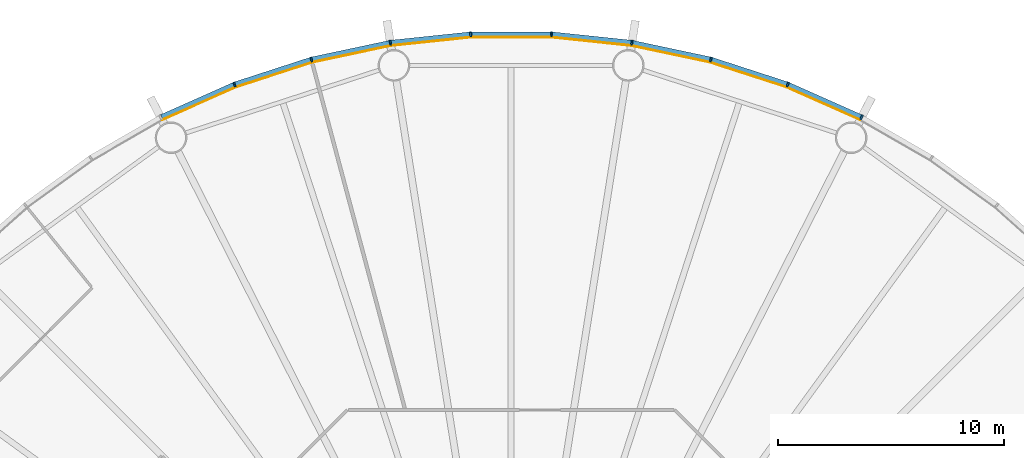
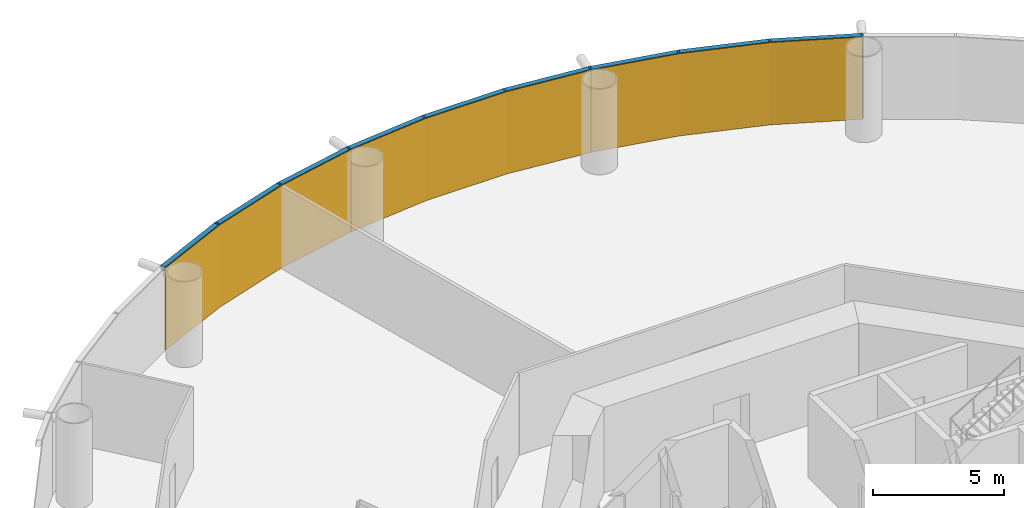
# One storey, part 11 of 12: 18 members, 3 curtain walls.
"""IFC4 building model written with IfcOpenShell, lengths in metres."""

from ifc_helpers import new_model, si_unit, direction, frame, origin, origin_2d, place, context, subcontext, project, spatial, polyline, rectangle, outline, extrude, material, layer, layer_set, material_profile, profile_set, type_object, element, aggregate, save


model = new_model("IFC4")

# Units and contexts
model_context = context("Model", 3, precision=1e-05, world=origin(), true_north=direction((0.0, 1.0)))
body_context = subcontext(model_context, "Body", "Model", "MODEL_VIEW")
ifc_project = project(units=[si_unit("LENGTHUNIT", "METRE"), si_unit("AREAUNIT", "SQUARE_METRE"), si_unit("VOLUMEUNIT", "CUBIC_METRE"), si_unit("PLANEANGLEUNIT", "RADIAN"), si_unit("MASSUNIT", "GRAM", prefix="KILO")], contexts=[model_context])

# Member
ifc_material_1 = material(Name="Anodised aluminium", Category="aluminium")
ifc_material_profile_1 = material_profile(ifc_material_1, rectangle(XDim=0.074951171875, YDim=0.219970703125, at=origin_2d()), Name="Mullion 75 x 220 mm anodised aluminium")
ifc_profile_set_1 = profile_set([ifc_material_profile_1], Name="Anodised aluminium")
member_type_1 = type_object("IfcMemberType", Name="Mullion 75 x 220 mm anodised aluminium", PredefinedType="MULLION", material=ifc_profile_set_1)
site_placement = place(None, origin())
building_placement = place(site_placement, origin())
storey_placement = place(building_placement, frame((0.0, 0.0, 70.0)))
member_1_placement = place(storey_placement, frame((105.485595703125, 110.392333984375, 0.0), z_axis=(0.0, 0.0, 1.0), x_axis=(-0.891006524188, 0.45399049974, 0.0)))
member_1 = element("IfcMember", 1, at=member_1_placement, type_object=member_type_1, Name="MULLION L15-09", PredefinedType="MULLION", context=body_context, shape_type="SweptSolid", body=[
    extrude(rectangle(XDim=0.074951171875, YDim=0.219970703125, at=origin_2d()), origin(), (0.0, 0.0, 1.0), 3.85009765625),
])

member_2_placement = place(storey_placement, frame((102.223876953125, 111.844482421875, 0.0), z_axis=(0.0, 0.0, 1.0), x_axis=(-0.933580426497, 0.358367949545, 0.0)))
member_2 = element("IfcMember", 2, at=member_2_placement, type_object=member_type_1, Name="MULLION L15-10", PredefinedType="MULLION", context=body_context, shape_type="SweptSolid", body=[
    extrude(rectangle(XDim=0.074951171875, YDim=0.219970703125, at=origin_2d()), origin(), (0.0, 0.0, 1.0), 3.85009765625),
])

member_3_placement = place(storey_placement, frame((98.828369140625, 112.94775390625, 0.0), z_axis=(0.0, 0.0, 1.0), x_axis=(-0.965925826289, 0.258819045103, 0.0)))
member_3 = element("IfcMember", 3, at=member_3_placement, type_object=member_type_1, Name="MULLION L15-11", PredefinedType="MULLION", context=body_context, shape_type="SweptSolid", body=[
    extrude(rectangle(XDim=0.074951171875, YDim=0.219970703125, at=origin_2d()), origin(), (0.0, 0.0, 1.0), 3.85009765625),
])

member_4_placement = place(storey_placement, frame((95.3359375, 113.68994140625, 0.0), z_axis=(0.0, 0.0, 1.0), x_axis=(-0.987688340595, 0.15643446504, 0.0)))
member_4 = element("IfcMember", 4, at=member_4_placement, type_object=member_type_1, Name="MULLION L15-12", PredefinedType="MULLION", context=body_context, shape_type="SweptSolid", body=[
    extrude(rectangle(XDim=0.074951171875, YDim=0.219970703125, at=origin_2d()), origin(), (0.0, 0.0, 1.0), 3.85009765625),
])

member_5_placement = place(storey_placement, frame((91.78515625, 114.063232421875, 0.0), z_axis=(0.0, 0.0, 1.0), x_axis=(-0.998629534755, 0.052335956243, 0.0)))
member_5 = element("IfcMember", 5, at=member_5_placement, type_object=member_type_1, Name="MULLION L15-13", PredefinedType="MULLION", context=body_context, shape_type="SweptSolid", body=[
    extrude(rectangle(XDim=0.074951171875, YDim=0.219970703125, at=origin_2d()), origin(), (0.0, 0.0, 1.0), 3.85009765625),
])

member_6_placement = place(storey_placement, frame((88.21484375, 114.063232421875, 0.0), z_axis=(0.0, 0.0, 1.0), x_axis=(-0.998629534755, -0.052335956243, 0.0)))
member_6 = element("IfcMember", 6, at=member_6_placement, type_object=member_type_1, Name="MULLION L15-14", PredefinedType="MULLION", context=body_context, shape_type="SweptSolid", body=[
    extrude(rectangle(XDim=0.074951171875, YDim=0.219970703125, at=origin_2d()), origin(), (0.0, 0.0, 1.0), 3.85009765625),
])

member_7_placement = place(storey_placement, frame((84.6640625, 113.68994140625, 0.0), z_axis=(0.0, 0.0, 1.0), x_axis=(-0.987688340595, -0.15643446504, 0.0)))
member_7 = element("IfcMember", 7, at=member_7_placement, type_object=member_type_1, Name="MULLION L15-15", PredefinedType="MULLION", context=body_context, shape_type="SweptSolid", body=[
    extrude(rectangle(XDim=0.074951171875, YDim=0.219970703125, at=origin_2d()), origin(), (0.0, 0.0, 1.0), 3.85009765625),
])

member_8_placement = place(storey_placement, frame((81.171630859375, 112.94775390625, 0.0), z_axis=(0.0, 0.0, 1.0), x_axis=(-0.965925826289, -0.258819045103, 0.0)))
member_8 = element("IfcMember", 8, at=member_8_placement, type_object=member_type_1, Name="MULLION L15-16", PredefinedType="MULLION", context=body_context, shape_type="SweptSolid", body=[
    extrude(rectangle(XDim=0.074951171875, YDim=0.219970703125, at=origin_2d()), origin(), (0.0, 0.0, 1.0), 3.85009765625),
])

member_9_placement = place(storey_placement, frame((77.776123046875, 111.844482421875, 0.0), z_axis=(0.0, 0.0, 1.0), x_axis=(-0.933580426497, -0.358367949545, 0.0)))
member_9 = element("IfcMember", 9, at=member_9_placement, type_object=member_type_1, Name="MULLION L15-17", PredefinedType="MULLION", context=body_context, shape_type="SweptSolid", body=[
    extrude(rectangle(XDim=0.074951171875, YDim=0.219970703125, at=origin_2d()), origin(), (0.0, 0.0, 1.0), 3.85009765625),
])

ifc_material_2 = material(Name="Anodised aluminium", Category="aluminium")
ifc_material_profile_2 = material_profile(ifc_material_2, rectangle(XDim=0.219970703125, YDim=0.199951171875, at=origin_2d()), Name="Transom 200 x 220 mm anodised aluminium")
ifc_profile_set_2 = profile_set([ifc_material_profile_2], Name="Anodised aluminium")
member_type_2 = type_object("IfcMemberType", Name="Transom 200 x 220 mm anodised aluminium", PredefinedType="USERDEFINED", material=ifc_profile_set_2)
member_10_placement = place(storey_placement, frame((105.446044921875, 110.409912109375, 3.75), z_axis=(-0.913545487371, 0.406736576304, 0.0), x_axis=(-0.406736576304, -0.913545487371, 0.0)))
member_10 = element("IfcMember", 10, at=member_10_placement, type_object=member_type_2, Name="TRANSOM L15-09", ObjectType="TRANSOM", PredefinedType="USERDEFINED", context=body_context, shape_type="SweptSolid", body=[
    extrude(rectangle(XDim=0.219970703125, YDim=0.199951171875, at=origin_2d()), origin(), (0.0, 0.0, 1.0), 3.48388671875),
])

member_11_placement = place(storey_placement, frame((102.182861328125, 111.85791015625, 3.75), z_axis=(-0.951052605696, 0.309029029702, 0.0), x_axis=(-0.309029029702, -0.951052605696, 0.0)))
member_11 = element("IfcMember", 11, at=member_11_placement, type_object=member_type_2, Name="TRANSOM L15-10", ObjectType="TRANSOM", PredefinedType="USERDEFINED", context=body_context, shape_type="SweptSolid", body=[
    extrude(rectangle(XDim=0.219970703125, YDim=0.199951171875, at=origin_2d()), origin(), (0.0, 0.0, 1.0), 3.484130859375),
])

member_12_placement = place(storey_placement, frame((98.7861328125, 112.956787109375, 3.75), z_axis=(-0.978145669426, 0.207920776701, 0.0), x_axis=(-0.207920776701, -0.978145669426, 0.0)))
member_12 = element("IfcMember", 12, at=member_12_placement, type_object=member_type_2, Name="TRANSOM L15-11", ObjectType="TRANSOM", PredefinedType="USERDEFINED", context=body_context, shape_type="SweptSolid", body=[
    extrude(rectangle(XDim=0.219970703125, YDim=0.199951171875, at=origin_2d()), origin(), (0.0, 0.0, 1.0), 3.48388671875),
])

member_13_placement = place(storey_placement, frame((95.29296875, 113.69482421875, 3.75), z_axis=(-0.994526551648, 0.104484152234, 0.0), x_axis=(-0.104484152234, -0.994526551648, 0.0)))
member_13 = element("IfcMember", 13, at=member_13_placement, type_object=member_type_2, Name="TRANSOM L15-12", ObjectType="TRANSOM", PredefinedType="USERDEFINED", context=body_context, shape_type="SweptSolid", body=[
    extrude(rectangle(XDim=0.219970703125, YDim=0.199951171875, at=origin_2d()), origin(), (0.0, 0.0, 1.0), 3.48388671875),
])

member_14_placement = place(storey_placement, frame((91.741943359375, 114.0634765625, 3.75), z_axis=(-1.0, 0.0, 0.0), x_axis=(0.0, -1.0, 0.0)))
member_14 = element("IfcMember", 14, at=member_14_placement, type_object=member_type_2, Name="TRANSOM L15-13", ObjectType="TRANSOM", PredefinedType="USERDEFINED", context=body_context, shape_type="SweptSolid", body=[
    extrude(rectangle(XDim=0.219970703125, YDim=0.199951171875, at=origin_2d()), origin(), (0.0, 0.0, 1.0), 3.48388671875),
])

member_15_placement = place(storey_placement, frame((88.171875, 114.058837890625, 3.75), z_axis=(-0.994526551648, -0.104484152234, 0.0), x_axis=(0.104484152234, -0.994526551648, 0.0)))
member_15 = element("IfcMember", 15, at=member_15_placement, type_object=member_type_2, Name="TRANSOM L15-14", ObjectType="TRANSOM", PredefinedType="USERDEFINED", context=body_context, shape_type="SweptSolid", body=[
    extrude(rectangle(XDim=0.219970703125, YDim=0.199951171875, at=origin_2d()), origin(), (0.0, 0.0, 1.0), 3.48388671875),
])

member_16_placement = place(storey_placement, frame((84.62158203125, 113.68115234375, 3.75), z_axis=(-0.978145669426, -0.207920776701, 0.0), x_axis=(0.207920776701, -0.978145669426, 0.0)))
member_16 = element("IfcMember", 16, at=member_16_placement, type_object=member_type_2, Name="TRANSOM L15-15", ObjectType="TRANSOM", PredefinedType="USERDEFINED", context=body_context, shape_type="SweptSolid", body=[
    extrude(rectangle(XDim=0.219970703125, YDim=0.199951171875, at=origin_2d()), origin(), (0.0, 0.0, 1.0), 3.48388671875),
])

member_17_placement = place(storey_placement, frame((81.130615234375, 112.9345703125, 3.75), z_axis=(-0.951052605696, -0.309029029702, 0.0), x_axis=(0.309029029702, -0.951052605696, 0.0)))
member_17 = element("IfcMember", 17, at=member_17_placement, type_object=member_type_2, Name="TRANSOM L15-16", ObjectType="TRANSOM", PredefinedType="USERDEFINED", context=body_context, shape_type="SweptSolid", body=[
    extrude(rectangle(XDim=0.219970703125, YDim=0.199951171875, at=origin_2d()), origin(), (0.0, 0.0, 1.0), 3.484130859375),
])

member_18_placement = place(storey_placement, frame((77.736572265625, 111.826904296875, 3.75), z_axis=(-0.913545487371, -0.406736576304, 0.0), x_axis=(0.406736576304, -0.913545487371, 0.0)))
member_18 = element("IfcMember", 18, at=member_18_placement, type_object=member_type_2, Name="TRANSOM L15-17", ObjectType="TRANSOM", PredefinedType="USERDEFINED", context=body_context, shape_type="SweptSolid", body=[
    extrude(rectangle(XDim=0.219970703125, YDim=0.199951171875, at=origin_2d()), origin(), (0.0, 0.0, 1.0), 3.48388671875),
])

# Site, building, storey
site = spatial("IfcSite", under=ifc_project, at=site_placement, CompositionType="ELEMENT")
building = spatial("IfcBuilding", under=site, at=building_placement, Name="Entoto Ring Tower", CompositionType="ELEMENT")
storey = spatial("IfcBuildingStorey", under=building, at=storey_placement, Name="L15", CompositionType="ELEMENT", Elevation=70.0)

# Curtain wall
ifc_material_3 = material(Name="Clear low-iron glass", Category="glass")
ifc_layer = layer(ifc_material_3, 0.0400390625)
ifc_layer_set = layer_set([ifc_layer], Name="Clear low-iron glass")
curtain_wall_type = type_object("IfcCurtainWallType", Name="Curtain wall system CW1 glazing 40 mm", PredefinedType="NOTDEFINED", material=ifc_layer_set)
curtain_wall_1_placement = place(storey_placement, origin())
curtain_wall_1 = element("IfcCurtainWall", 19, at=curtain_wall_1_placement, inside=storey, type_object=curtain_wall_type, Name="CW1 L15-04", PredefinedType="NOTDEFINED", context=body_context, shape_type="SweptSolid", body=[
    extrude(outline(polyline([(105.435791015625, 110.294189453125), (102.1845703125, 111.74169921875), (98.7998046875, 112.841552734375), (95.31884765625, 113.581298828125), (95.3125, 113.541748046875), (98.78955078125, 112.802734375), (102.170166015625, 111.704345703125), (105.41748046875, 110.258544921875), (105.435791015625, 110.294189453125)])), origin(), (0.0, 0.0, 1.0), 3.85009765625),
])

aggregate(curtain_wall_1, [member_1, member_2, member_3, member_10, member_11, member_12])

curtain_wall_2_placement = place(storey_placement, origin())
curtain_wall_2 = element("IfcCurtainWall", 20, at=curtain_wall_2_placement, inside=storey, type_object=curtain_wall_type, Name="CW1 L15-05", PredefinedType="NOTDEFINED", context=body_context, shape_type="SweptSolid", body=[
    extrude(outline(polyline([(95.31884765625, 113.581298828125), (91.779541015625, 113.953369140625), (88.220458984375, 113.953369140625), (84.68115234375, 113.581298828125), (84.6875, 113.541748046875), (88.22265625, 113.913330078125), (91.77734375, 113.913330078125), (95.3125, 113.541748046875), (95.31884765625, 113.581298828125)])), origin(), (0.0, 0.0, 1.0), 3.85009765625),
])

aggregate(curtain_wall_2, [member_4, member_5, member_6, member_13, member_14, member_15])

curtain_wall_3_placement = place(storey_placement, origin())
curtain_wall_3 = element("IfcCurtainWall", 21, at=curtain_wall_3_placement, inside=storey, type_object=curtain_wall_type, Name="CW1 L15-06", PredefinedType="NOTDEFINED", context=body_context, shape_type="SweptSolid", body=[
    extrude(outline(polyline([(84.68115234375, 113.581298828125), (81.2001953125, 112.841552734375), (77.8154296875, 111.74169921875), (74.564208984375, 110.294189453125), (74.58251953125, 110.258544921875), (77.829833984375, 111.704345703125), (81.21044921875, 112.802734375), (84.6875, 113.541748046875), (84.68115234375, 113.581298828125)])), origin(), (0.0, 0.0, 1.0), 3.85009765625),
])

aggregate(curtain_wall_3, [member_7, member_8, member_9, member_16, member_17, member_18])

save(model, "model.ifc")
